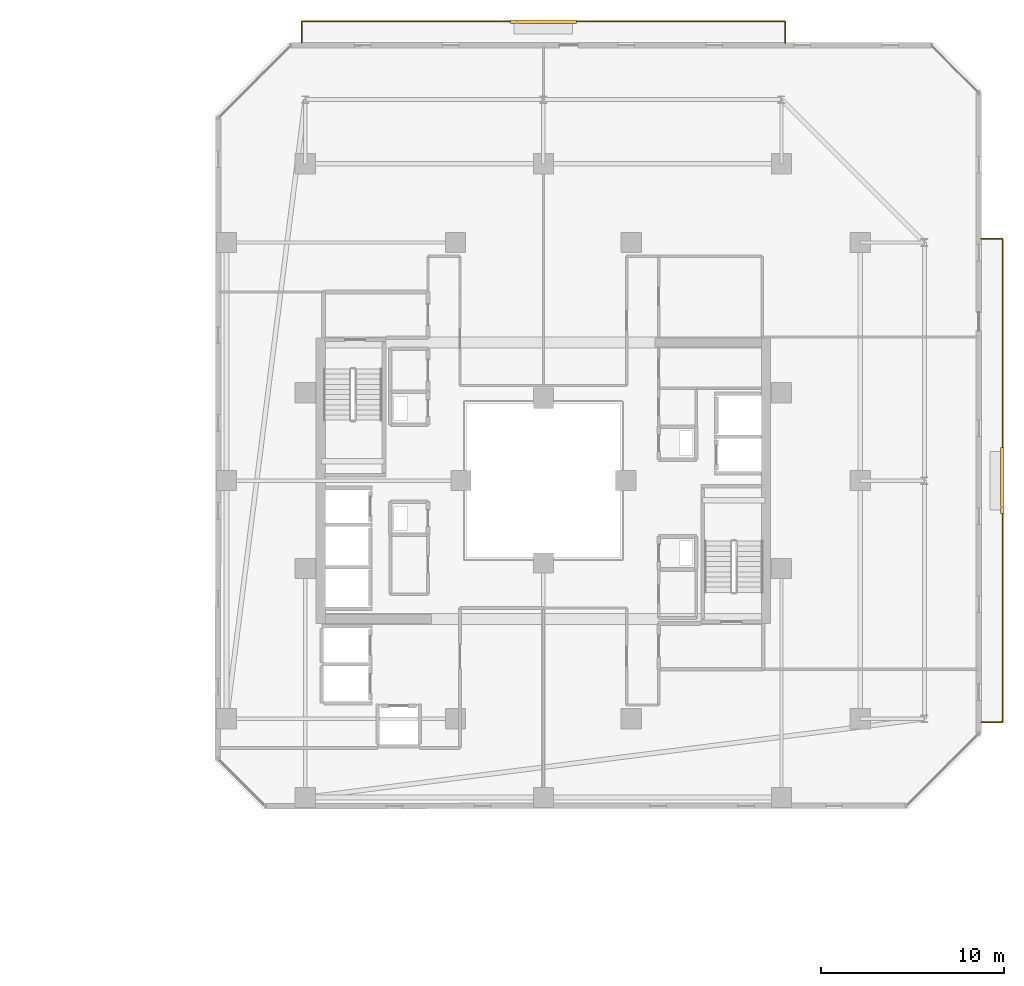
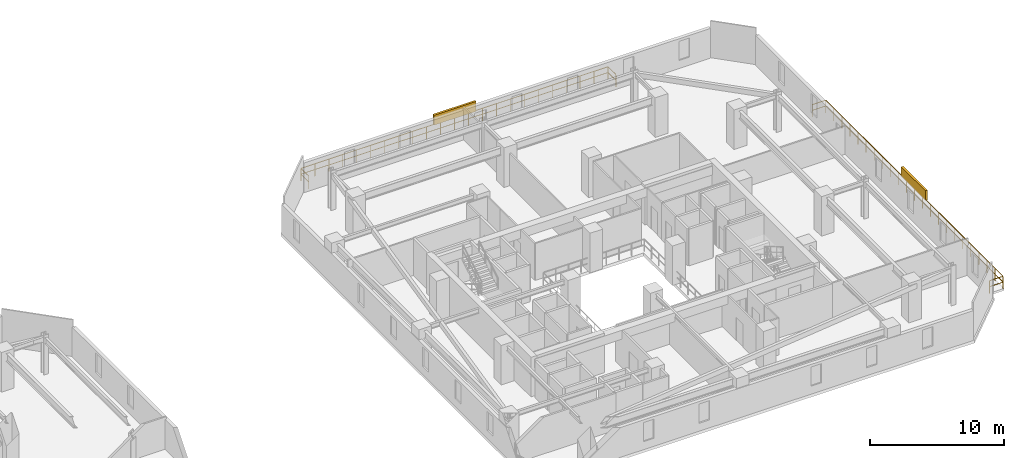
# One storey, part 32 of 32: 2 railings, 2 shading devices.
"""IFC4 building model written with IfcOpenShell, lengths in metres."""

from ifc_helpers import new_model, si_unit, direction, frame, origin, origin_2d, place, context, subcontext, project, spatial, rectangle, extrude, material, type_object, element, save


model = new_model("IFC4")

# Units and contexts
model_context = context("Model", 3, precision=1e-05, world=origin(), true_north=direction((0.0, 1.0)))
body_context = subcontext(model_context, "Body", "Model", "MODEL_VIEW")
ifc_project = project(units=[si_unit("LENGTHUNIT", "METRE"), si_unit("AREAUNIT", "SQUARE_METRE"), si_unit("VOLUMEUNIT", "CUBIC_METRE"), si_unit("PLANEANGLEUNIT", "RADIAN"), si_unit("MASSUNIT", "GRAM", prefix="KILO")], contexts=[model_context])

# Site, building, storey
site_placement = place(None, origin())
site = spatial("IfcSite", under=ifc_project, at=site_placement, CompositionType="ELEMENT")
building_placement = place(site_placement, origin())
building = spatial("IfcBuilding", under=site, at=building_placement, Name="Thornwick Lancets Civic Towers", CompositionType="ELEMENT")
storey_placement = place(building_placement, frame((0.0, 0.0, 152.699951171875)))
storey = spatial("IfcBuildingStorey", under=building, at=storey_placement, Name="L40", CompositionType="ELEMENT", Elevation=152.699951171875)

# Railings
ifc_material_1 = material(Name="Terracotta-capped laminated glass balustrade S355", Category="masonry")
railing_type = type_object("IfcRailingType", Name="RAIL_TERR_GUARD", PredefinedType="GUARDRAIL", material=ifc_material_1)
railing_1_placement = place(storey_placement, frame((112.39990234375, 13.800048828125, 0.0)))
element("IfcRailing", 1, at=railing_1_placement, inside=storey, type_object=railing_type, Name="L40 Tower B Balcony Guard E", PredefinedType="GUARDRAIL", context=body_context, shape_type="SweptSolid", body=[
    extrude(rectangle(XDim=0.048095703125, YDim=0.048095703125, at=origin_2d()), frame((0.0, 0.0, 1.1259765625), z_axis=(1.0, 0.0, 0.0), x_axis=(0.0, 1.0, 0.0)), (0.0, 0.0, 1.0), 1.138916015625),
    extrude(rectangle(XDim=0.0419921875, YDim=0.0419921875, at=origin_2d()), frame((0.03759765625, 0.0, 0.597900390625), z_axis=(1.0, 0.0, 0.0), x_axis=(0.0, 1.0, 0.0)), (0.0, 0.0, 1.0), 1.09521484375),
    extrude(rectangle(XDim=0.048095703125, YDim=0.048095703125, at=origin_2d()), frame((1.170166015625, 0.03125, 1.1259765625), z_axis=(0.0, 1.0, 0.0), x_axis=(-1.0, 0.0, 0.0)), (0.0, 0.0, 1.0), 26.33740234375),
    extrude(rectangle(XDim=0.0419921875, YDim=0.0419921875, at=origin_2d()), frame((1.170166015625, 0.03759765625, 0.597900390625), z_axis=(0.0, 1.0, 0.0), x_axis=(-1.0, 0.0, 0.0)), (0.0, 0.0, 1.0), 1.125),
    extrude(rectangle(XDim=0.0419921875, YDim=0.0419921875, at=origin_2d()), frame((1.170166015625, 1.237548828125, 0.597900390625), z_axis=(0.0, 1.0, 0.0), x_axis=(-1.0, 0.0, 0.0)), (0.0, 0.0, 1.0), 1.125),
    extrude(rectangle(XDim=0.0419921875, YDim=0.0419921875, at=origin_2d()), frame((1.170166015625, 2.4375, 0.597900390625), z_axis=(0.0, 1.0, 0.0), x_axis=(-1.0, 0.0, 0.0)), (0.0, 0.0, 1.0), 1.125),
    extrude(rectangle(XDim=0.0419921875, YDim=0.0419921875, at=origin_2d()), frame((1.170166015625, 3.637451171875, 0.597900390625), z_axis=(0.0, 1.0, 0.0), x_axis=(-1.0, 0.0, 0.0)), (0.0, 0.0, 1.0), 1.125),
    extrude(rectangle(XDim=0.0419921875, YDim=0.0419921875, at=origin_2d()), frame((1.170166015625, 4.83740234375, 0.597900390625), z_axis=(0.0, 1.0, 0.0), x_axis=(-1.0, 0.0, 0.0)), (0.0, 0.0, 1.0), 1.125),
    extrude(rectangle(XDim=0.0419921875, YDim=0.0419921875, at=origin_2d()), frame((1.170166015625, 6.037353515625, 0.597900390625), z_axis=(0.0, 1.0, 0.0), x_axis=(-1.0, 0.0, 0.0)), (0.0, 0.0, 1.0), 1.125),
    extrude(rectangle(XDim=0.0419921875, YDim=0.0419921875, at=origin_2d()), frame((1.170166015625, 7.237548828125, 0.597900390625), z_axis=(0.0, 1.0, 0.0), x_axis=(-1.0, 0.0, 0.0)), (0.0, 0.0, 1.0), 1.125),
    extrude(rectangle(XDim=0.0419921875, YDim=0.0419921875, at=origin_2d()), frame((1.170166015625, 8.4375, 0.597900390625), z_axis=(0.0, 1.0, 0.0), x_axis=(-1.0, 0.0, 0.0)), (0.0, 0.0, 1.0), 1.125),
    extrude(rectangle(XDim=0.0419921875, YDim=0.0419921875, at=origin_2d()), frame((1.170166015625, 9.637451171875, 0.597900390625), z_axis=(0.0, 1.0, 0.0), x_axis=(-1.0, 0.0, 0.0)), (0.0, 0.0, 1.0), 1.125),
    extrude(rectangle(XDim=0.0419921875, YDim=0.0419921875, at=origin_2d()), frame((1.170166015625, 10.83740234375, 0.597900390625), z_axis=(0.0, 1.0, 0.0), x_axis=(-1.0, 0.0, 0.0)), (0.0, 0.0, 1.0), 1.125),
    extrude(rectangle(XDim=0.0419921875, YDim=0.0419921875, at=origin_2d()), frame((1.170166015625, 12.037353515625, 0.597900390625), z_axis=(0.0, 1.0, 0.0), x_axis=(-1.0, 0.0, 0.0)), (0.0, 0.0, 1.0), 1.125),
    extrude(rectangle(XDim=0.0419921875, YDim=0.0419921875, at=origin_2d()), frame((1.170166015625, 13.237548828125, 0.597900390625), z_axis=(0.0, 1.0, 0.0), x_axis=(-1.0, 0.0, 0.0)), (0.0, 0.0, 1.0), 1.125),
    extrude(rectangle(XDim=0.0419921875, YDim=0.0419921875, at=origin_2d()), frame((1.170166015625, 14.4375, 0.597900390625), z_axis=(0.0, 1.0, 0.0), x_axis=(-1.0, 0.0, 0.0)), (0.0, 0.0, 1.0), 1.125),
    extrude(rectangle(XDim=0.0419921875, YDim=0.0419921875, at=origin_2d()), frame((1.170166015625, 15.637451171875, 0.597900390625), z_axis=(0.0, 1.0, 0.0), x_axis=(-1.0, 0.0, 0.0)), (0.0, 0.0, 1.0), 1.125),
    extrude(rectangle(XDim=0.0419921875, YDim=0.0419921875, at=origin_2d()), frame((1.170166015625, 16.83740234375, 0.597900390625), z_axis=(0.0, 1.0, 0.0), x_axis=(-1.0, 0.0, 0.0)), (0.0, 0.0, 1.0), 1.125),
    extrude(rectangle(XDim=0.0419921875, YDim=0.0419921875, at=origin_2d()), frame((1.170166015625, 18.037353515625, 0.597900390625), z_axis=(0.0, 1.0, 0.0), x_axis=(-1.0, 0.0, 0.0)), (0.0, 0.0, 1.0), 1.125),
    extrude(rectangle(XDim=0.0419921875, YDim=0.0419921875, at=origin_2d()), frame((1.170166015625, 19.2373046875, 0.597900390625), z_axis=(0.0, 1.0, 0.0), x_axis=(-1.0, 0.0, 0.0)), (0.0, 0.0, 1.0), 1.125),
    extrude(rectangle(XDim=0.0419921875, YDim=0.0419921875, at=origin_2d()), frame((1.170166015625, 20.4375, 0.597900390625), z_axis=(0.0, 1.0, 0.0), x_axis=(-1.0, 0.0, 0.0)), (0.0, 0.0, 1.0), 1.125),
    extrude(rectangle(XDim=0.0419921875, YDim=0.0419921875, at=origin_2d()), frame((1.170166015625, 21.637451171875, 0.597900390625), z_axis=(0.0, 1.0, 0.0), x_axis=(-1.0, 0.0, 0.0)), (0.0, 0.0, 1.0), 1.125),
    extrude(rectangle(XDim=0.0419921875, YDim=0.0419921875, at=origin_2d()), frame((1.170166015625, 22.83740234375, 0.597900390625), z_axis=(0.0, 1.0, 0.0), x_axis=(-1.0, 0.0, 0.0)), (0.0, 0.0, 1.0), 1.125),
    extrude(rectangle(XDim=0.0419921875, YDim=0.0419921875, at=origin_2d()), frame((1.170166015625, 24.037353515625, 0.597900390625), z_axis=(0.0, 1.0, 0.0), x_axis=(-1.0, 0.0, 0.0)), (0.0, 0.0, 1.0), 1.125),
    extrude(rectangle(XDim=0.0419921875, YDim=0.0419921875, at=origin_2d()), frame((1.170166015625, 25.2373046875, 0.597900390625), z_axis=(0.0, 1.0, 0.0), x_axis=(-1.0, 0.0, 0.0)), (0.0, 0.0, 1.0), 1.125),
    extrude(rectangle(XDim=0.048095703125, YDim=0.048095703125, at=origin_2d()), frame((1.138916015625, 26.39990234375, 1.1259765625), z_axis=(-1.0, 0.0, 0.0), x_axis=(0.0, -1.0, 0.0)), (0.0, 0.0, 1.0), 1.138916015625),
    extrude(rectangle(XDim=0.0419921875, YDim=0.0419921875, at=origin_2d()), frame((1.132568359375, 26.39990234375, 0.597900390625), z_axis=(-1.0, 0.0, 0.0), x_axis=(0.0, -1.0, 0.0)), (0.0, 0.0, 1.0), 1.09521484375),
    extrude(rectangle(XDim=0.0419921875, YDim=0.0419921875, at=origin_2d()), origin(), (0.0, 0.0, 1.0), 1.095703125),
    extrude(rectangle(XDim=0.0419921875, YDim=0.0419921875, at=origin_2d()), frame((1.170166015625, 0.0, 0.0)), (0.0, 0.0, 1.0), 1.095703125),
    extrude(rectangle(XDim=0.0419921875, YDim=0.0419921875, at=origin_2d()), frame((1.170166015625, 1.199951171875, 0.0)), (0.0, 0.0, 1.0), 1.095703125),
    extrude(rectangle(XDim=0.0419921875, YDim=0.0419921875, at=origin_2d()), frame((1.170166015625, 2.39990234375, 0.0)), (0.0, 0.0, 1.0), 1.095703125),
    extrude(rectangle(XDim=0.0419921875, YDim=0.0419921875, at=origin_2d()), frame((1.170166015625, 3.60009765625, 0.0)), (0.0, 0.0, 1.0), 1.095703125),
    extrude(rectangle(XDim=0.0419921875, YDim=0.0419921875, at=origin_2d()), frame((1.170166015625, 4.800048828125, 0.0)), (0.0, 0.0, 1.0), 1.095703125),
    extrude(rectangle(XDim=0.0419921875, YDim=0.0419921875, at=origin_2d()), frame((1.170166015625, 6.0, 0.0)), (0.0, 0.0, 1.0), 1.095703125),
    extrude(rectangle(XDim=0.0419921875, YDim=0.0419921875, at=origin_2d()), frame((1.170166015625, 7.199951171875, 0.0)), (0.0, 0.0, 1.0), 1.095703125),
    extrude(rectangle(XDim=0.0419921875, YDim=0.0419921875, at=origin_2d()), frame((1.170166015625, 8.39990234375, 0.0)), (0.0, 0.0, 1.0), 1.095703125),
    extrude(rectangle(XDim=0.0419921875, YDim=0.0419921875, at=origin_2d()), frame((1.170166015625, 9.599853515625, 0.0)), (0.0, 0.0, 1.0), 1.095703125),
    extrude(rectangle(XDim=0.0419921875, YDim=0.0419921875, at=origin_2d()), frame((1.170166015625, 10.800048828125, 0.0)), (0.0, 0.0, 1.0), 1.095703125),
    extrude(rectangle(XDim=0.0419921875, YDim=0.0419921875, at=origin_2d()), frame((1.170166015625, 12.0, 0.0)), (0.0, 0.0, 1.0), 1.095703125),
    extrude(rectangle(XDim=0.0419921875, YDim=0.0419921875, at=origin_2d()), frame((1.170166015625, 13.199951171875, 0.0)), (0.0, 0.0, 1.0), 1.095703125),
    extrude(rectangle(XDim=0.0419921875, YDim=0.0419921875, at=origin_2d()), frame((1.170166015625, 14.39990234375, 0.0)), (0.0, 0.0, 1.0), 1.095703125),
    extrude(rectangle(XDim=0.0419921875, YDim=0.0419921875, at=origin_2d()), frame((1.170166015625, 15.599853515625, 0.0)), (0.0, 0.0, 1.0), 1.095703125),
    extrude(rectangle(XDim=0.0419921875, YDim=0.0419921875, at=origin_2d()), frame((1.170166015625, 16.800048828125, 0.0)), (0.0, 0.0, 1.0), 1.095703125),
    extrude(rectangle(XDim=0.0419921875, YDim=0.0419921875, at=origin_2d()), frame((1.170166015625, 18.0, 0.0)), (0.0, 0.0, 1.0), 1.095703125),
    extrude(rectangle(XDim=0.0419921875, YDim=0.0419921875, at=origin_2d()), frame((1.170166015625, 19.199951171875, 0.0)), (0.0, 0.0, 1.0), 1.095703125),
    extrude(rectangle(XDim=0.0419921875, YDim=0.0419921875, at=origin_2d()), frame((1.170166015625, 20.39990234375, 0.0)), (0.0, 0.0, 1.0), 1.095703125),
    extrude(rectangle(XDim=0.0419921875, YDim=0.0419921875, at=origin_2d()), frame((1.170166015625, 21.599853515625, 0.0)), (0.0, 0.0, 1.0), 1.095703125),
    extrude(rectangle(XDim=0.0419921875, YDim=0.0419921875, at=origin_2d()), frame((1.170166015625, 22.7998046875, 0.0)), (0.0, 0.0, 1.0), 1.095703125),
    extrude(rectangle(XDim=0.0419921875, YDim=0.0419921875, at=origin_2d()), frame((1.170166015625, 24.0, 0.0)), (0.0, 0.0, 1.0), 1.095703125),
    extrude(rectangle(XDim=0.0419921875, YDim=0.0419921875, at=origin_2d()), frame((1.170166015625, 25.199951171875, 0.0)), (0.0, 0.0, 1.0), 1.095703125),
    extrude(rectangle(XDim=0.0419921875, YDim=0.0419921875, at=origin_2d()), frame((1.170166015625, 26.39990234375, 0.0)), (0.0, 0.0, 1.0), 1.095703125),
    extrude(rectangle(XDim=0.0419921875, YDim=0.0419921875, at=origin_2d()), frame((0.0, 26.39990234375, 0.0)), (0.0, 0.0, 1.0), 1.095703125),
])
railing_2_placement = place(storey_placement, frame((75.300048828125, 50.89990234375, 0.0)))
element("IfcRailing", 2, at=railing_2_placement, inside=storey, type_object=railing_type, Name="L40 Tower B Balcony Guard N", PredefinedType="GUARDRAIL", context=body_context, shape_type="SweptSolid", body=[
    extrude(rectangle(XDim=0.048095703125, YDim=0.048095703125, at=origin_2d()), frame((0.0, 0.0, 1.1259765625), z_axis=(0.0, 1.0, 0.0), x_axis=(-1.0, 0.0, 0.0)), (0.0, 0.0, 1.0), 1.138916015625),
    extrude(rectangle(XDim=0.0419921875, YDim=0.0419921875, at=origin_2d()), frame((0.0, 0.03759765625, 0.597900390625), z_axis=(0.0, 1.0, 0.0), x_axis=(-1.0, 0.0, 0.0)), (0.0, 0.0, 1.0), 1.09521484375),
    extrude(rectangle(XDim=0.048095703125, YDim=0.048095703125, at=origin_2d()), frame((0.03125, 1.170166015625, 1.1259765625), z_axis=(1.0, 0.0, 0.0), x_axis=(0.0, 1.0, 0.0)), (0.0, 0.0, 1.0), 26.33740234375),
    extrude(rectangle(XDim=0.0419921875, YDim=0.0419921875, at=origin_2d()), frame((0.03759765625, 1.170166015625, 0.597900390625), z_axis=(1.0, 0.0, 0.0), x_axis=(0.0, 1.0, 0.0)), (0.0, 0.0, 1.0), 1.125),
    extrude(rectangle(XDim=0.0419921875, YDim=0.0419921875, at=origin_2d()), frame((1.237548828125, 1.170166015625, 0.597900390625), z_axis=(1.0, 0.0, 0.0), x_axis=(0.0, 1.0, 0.0)), (0.0, 0.0, 1.0), 1.125),
    extrude(rectangle(XDim=0.0419921875, YDim=0.0419921875, at=origin_2d()), frame((2.4375, 1.170166015625, 0.597900390625), z_axis=(1.0, 0.0, 0.0), x_axis=(0.0, 1.0, 0.0)), (0.0, 0.0, 1.0), 1.125),
    extrude(rectangle(XDim=0.0419921875, YDim=0.0419921875, at=origin_2d()), frame((3.637451171875, 1.170166015625, 0.597900390625), z_axis=(1.0, 0.0, 0.0), x_axis=(0.0, 1.0, 0.0)), (0.0, 0.0, 1.0), 1.125),
    extrude(rectangle(XDim=0.0419921875, YDim=0.0419921875, at=origin_2d()), frame((4.83740234375, 1.170166015625, 0.597900390625), z_axis=(1.0, 0.0, 0.0), x_axis=(0.0, 1.0, 0.0)), (0.0, 0.0, 1.0), 1.125),
    extrude(rectangle(XDim=0.0419921875, YDim=0.0419921875, at=origin_2d()), frame((6.037353515625, 1.170166015625, 0.597900390625), z_axis=(1.0, 0.0, 0.0), x_axis=(0.0, 1.0, 0.0)), (0.0, 0.0, 1.0), 1.125),
    extrude(rectangle(XDim=0.0419921875, YDim=0.0419921875, at=origin_2d()), frame((7.237548828125, 1.170166015625, 0.597900390625), z_axis=(1.0, 0.0, 0.0), x_axis=(0.0, 1.0, 0.0)), (0.0, 0.0, 1.0), 1.125),
    extrude(rectangle(XDim=0.0419921875, YDim=0.0419921875, at=origin_2d()), frame((8.4375, 1.170166015625, 0.597900390625), z_axis=(1.0, 0.0, 0.0), x_axis=(0.0, 1.0, 0.0)), (0.0, 0.0, 1.0), 1.125),
    extrude(rectangle(XDim=0.0419921875, YDim=0.0419921875, at=origin_2d()), frame((9.637451171875, 1.170166015625, 0.597900390625), z_axis=(1.0, 0.0, 0.0), x_axis=(0.0, 1.0, 0.0)), (0.0, 0.0, 1.0), 1.125),
    extrude(rectangle(XDim=0.0419921875, YDim=0.0419921875, at=origin_2d()), frame((10.83740234375, 1.170166015625, 0.597900390625), z_axis=(1.0, 0.0, 0.0), x_axis=(0.0, 1.0, 0.0)), (0.0, 0.0, 1.0), 1.125),
    extrude(rectangle(XDim=0.0419921875, YDim=0.0419921875, at=origin_2d()), frame((12.037353515625, 1.170166015625, 0.597900390625), z_axis=(1.0, 0.0, 0.0), x_axis=(0.0, 1.0, 0.0)), (0.0, 0.0, 1.0), 1.125),
    extrude(rectangle(XDim=0.0419921875, YDim=0.0419921875, at=origin_2d()), frame((13.237548828125, 1.170166015625, 0.597900390625), z_axis=(1.0, 0.0, 0.0), x_axis=(0.0, 1.0, 0.0)), (0.0, 0.0, 1.0), 1.125),
    extrude(rectangle(XDim=0.0419921875, YDim=0.0419921875, at=origin_2d()), frame((14.4375, 1.170166015625, 0.597900390625), z_axis=(1.0, 0.0, 0.0), x_axis=(0.0, 1.0, 0.0)), (0.0, 0.0, 1.0), 1.125),
    extrude(rectangle(XDim=0.0419921875, YDim=0.0419921875, at=origin_2d()), frame((15.637451171875, 1.170166015625, 0.597900390625), z_axis=(1.0, 0.0, 0.0), x_axis=(0.0, 1.0, 0.0)), (0.0, 0.0, 1.0), 1.125),
    extrude(rectangle(XDim=0.0419921875, YDim=0.0419921875, at=origin_2d()), frame((16.83740234375, 1.170166015625, 0.597900390625), z_axis=(1.0, 0.0, 0.0), x_axis=(0.0, 1.0, 0.0)), (0.0, 0.0, 1.0), 1.125),
    extrude(rectangle(XDim=0.0419921875, YDim=0.0419921875, at=origin_2d()), frame((18.037353515625, 1.170166015625, 0.597900390625), z_axis=(1.0, 0.0, 0.0), x_axis=(0.0, 1.0, 0.0)), (0.0, 0.0, 1.0), 1.125),
    extrude(rectangle(XDim=0.0419921875, YDim=0.0419921875, at=origin_2d()), frame((19.2373046875, 1.170166015625, 0.597900390625), z_axis=(1.0, 0.0, 0.0), x_axis=(0.0, 1.0, 0.0)), (0.0, 0.0, 1.0), 1.125),
    extrude(rectangle(XDim=0.0419921875, YDim=0.0419921875, at=origin_2d()), frame((20.4375, 1.170166015625, 0.597900390625), z_axis=(1.0, 0.0, 0.0), x_axis=(0.0, 1.0, 0.0)), (0.0, 0.0, 1.0), 1.125),
    extrude(rectangle(XDim=0.0419921875, YDim=0.0419921875, at=origin_2d()), frame((21.637451171875, 1.170166015625, 0.597900390625), z_axis=(1.0, 0.0, 0.0), x_axis=(0.0, 1.0, 0.0)), (0.0, 0.0, 1.0), 1.125),
    extrude(rectangle(XDim=0.0419921875, YDim=0.0419921875, at=origin_2d()), frame((22.83740234375, 1.170166015625, 0.597900390625), z_axis=(1.0, 0.0, 0.0), x_axis=(0.0, 1.0, 0.0)), (0.0, 0.0, 1.0), 1.125),
    extrude(rectangle(XDim=0.0419921875, YDim=0.0419921875, at=origin_2d()), frame((24.037353515625, 1.170166015625, 0.597900390625), z_axis=(1.0, 0.0, 0.0), x_axis=(0.0, 1.0, 0.0)), (0.0, 0.0, 1.0), 1.125),
    extrude(rectangle(XDim=0.0419921875, YDim=0.0419921875, at=origin_2d()), frame((25.2373046875, 1.170166015625, 0.597900390625), z_axis=(1.0, 0.0, 0.0), x_axis=(0.0, 1.0, 0.0)), (0.0, 0.0, 1.0), 1.125),
    extrude(rectangle(XDim=0.048095703125, YDim=0.048095703125, at=origin_2d()), frame((26.39990234375, 1.138916015625, 1.1259765625), z_axis=(0.0, -1.0, 0.0), x_axis=(1.0, 0.0, 0.0)), (0.0, 0.0, 1.0), 1.138916015625),
    extrude(rectangle(XDim=0.0419921875, YDim=0.0419921875, at=origin_2d()), frame((26.39990234375, 1.132568359375, 0.597900390625), z_axis=(0.0, -1.0, 0.0), x_axis=(1.0, 0.0, 0.0)), (0.0, 0.0, 1.0), 1.09521484375),
    extrude(rectangle(XDim=0.0419921875, YDim=0.0419921875, at=origin_2d()), origin(), (0.0, 0.0, 1.0), 1.095703125),
    extrude(rectangle(XDim=0.0419921875, YDim=0.0419921875, at=origin_2d()), frame((0.0, 1.170166015625, 0.0)), (0.0, 0.0, 1.0), 1.095703125),
    extrude(rectangle(XDim=0.0419921875, YDim=0.0419921875, at=origin_2d()), frame((1.199951171875, 1.170166015625, 0.0)), (0.0, 0.0, 1.0), 1.095703125),
    extrude(rectangle(XDim=0.0419921875, YDim=0.0419921875, at=origin_2d()), frame((2.39990234375, 1.170166015625, 0.0)), (0.0, 0.0, 1.0), 1.095703125),
    extrude(rectangle(XDim=0.0419921875, YDim=0.0419921875, at=origin_2d()), frame((3.60009765625, 1.170166015625, 0.0)), (0.0, 0.0, 1.0), 1.095703125),
    extrude(rectangle(XDim=0.0419921875, YDim=0.0419921875, at=origin_2d()), frame((4.800048828125, 1.170166015625, 0.0)), (0.0, 0.0, 1.0), 1.095703125),
    extrude(rectangle(XDim=0.0419921875, YDim=0.0419921875, at=origin_2d()), frame((6.0, 1.170166015625, 0.0)), (0.0, 0.0, 1.0), 1.095703125),
    extrude(rectangle(XDim=0.0419921875, YDim=0.0419921875, at=origin_2d()), frame((7.199951171875, 1.170166015625, 0.0)), (0.0, 0.0, 1.0), 1.095703125),
    extrude(rectangle(XDim=0.0419921875, YDim=0.0419921875, at=origin_2d()), frame((8.39990234375, 1.170166015625, 0.0)), (0.0, 0.0, 1.0), 1.095703125),
    extrude(rectangle(XDim=0.0419921875, YDim=0.0419921875, at=origin_2d()), frame((9.599853515625, 1.170166015625, 0.0)), (0.0, 0.0, 1.0), 1.095703125),
    extrude(rectangle(XDim=0.0419921875, YDim=0.0419921875, at=origin_2d()), frame((10.800048828125, 1.170166015625, 0.0)), (0.0, 0.0, 1.0), 1.095703125),
    extrude(rectangle(XDim=0.0419921875, YDim=0.0419921875, at=origin_2d()), frame((12.0, 1.170166015625, 0.0)), (0.0, 0.0, 1.0), 1.095703125),
    extrude(rectangle(XDim=0.0419921875, YDim=0.0419921875, at=origin_2d()), frame((13.199951171875, 1.170166015625, 0.0)), (0.0, 0.0, 1.0), 1.095703125),
    extrude(rectangle(XDim=0.0419921875, YDim=0.0419921875, at=origin_2d()), frame((14.39990234375, 1.170166015625, 0.0)), (0.0, 0.0, 1.0), 1.095703125),
    extrude(rectangle(XDim=0.0419921875, YDim=0.0419921875, at=origin_2d()), frame((15.599853515625, 1.170166015625, 0.0)), (0.0, 0.0, 1.0), 1.095703125),
    extrude(rectangle(XDim=0.0419921875, YDim=0.0419921875, at=origin_2d()), frame((16.800048828125, 1.170166015625, 0.0)), (0.0, 0.0, 1.0), 1.095703125),
    extrude(rectangle(XDim=0.0419921875, YDim=0.0419921875, at=origin_2d()), frame((18.0, 1.170166015625, 0.0)), (0.0, 0.0, 1.0), 1.095703125),
    extrude(rectangle(XDim=0.0419921875, YDim=0.0419921875, at=origin_2d()), frame((19.199951171875, 1.170166015625, 0.0)), (0.0, 0.0, 1.0), 1.095703125),
    extrude(rectangle(XDim=0.0419921875, YDim=0.0419921875, at=origin_2d()), frame((20.39990234375, 1.170166015625, 0.0)), (0.0, 0.0, 1.0), 1.095703125),
    extrude(rectangle(XDim=0.0419921875, YDim=0.0419921875, at=origin_2d()), frame((21.599853515625, 1.170166015625, 0.0)), (0.0, 0.0, 1.0), 1.095703125),
    extrude(rectangle(XDim=0.0419921875, YDim=0.0419921875, at=origin_2d()), frame((22.7998046875, 1.170166015625, 0.0)), (0.0, 0.0, 1.0), 1.095703125),
    extrude(rectangle(XDim=0.0419921875, YDim=0.0419921875, at=origin_2d()), frame((24.0, 1.170166015625, 0.0)), (0.0, 0.0, 1.0), 1.095703125),
    extrude(rectangle(XDim=0.0419921875, YDim=0.0419921875, at=origin_2d()), frame((25.199951171875, 1.170166015625, 0.0)), (0.0, 0.0, 1.0), 1.095703125),
    extrude(rectangle(XDim=0.0419921875, YDim=0.0419921875, at=origin_2d()), frame((26.39990234375, 1.170166015625, 0.0)), (0.0, 0.0, 1.0), 1.095703125),
    extrude(rectangle(XDim=0.0419921875, YDim=0.0419921875, at=origin_2d()), frame((26.39990234375, 0.0, 0.0)), (0.0, 0.0, 1.0), 1.095703125),
])

# Shading devices
ifc_material_2 = material(Name="Extruded terracotta baguette solar screen", Category="masonry")
shading_device_type = type_object("IfcShadingDeviceType", Name="SHADE_BAGUETTE", PredefinedType="JALOUSIE", material=ifc_material_2)
for number, where, z_axis, x_axis, name in (
    (3, (113.56005859375, 27.0, 1.1201171875), (0.0, 0.0, 1.0), (0.0, 1.0, 0.0), "L40 Tower B Terracotta Baguette Screen E"),
    (4, (88.5, 52.06005859375, 1.1201171875), (0.0, 0.0, 1.0), (1.0, 0.0, 0.0), "L40 Tower B Terracotta Baguette Screen N"),
):
    element("IfcShadingDevice", number, at=place(storey_placement, frame(where, z_axis=z_axis, x_axis=x_axis)), inside=storey, type_object=shading_device_type, Name=name, PredefinedType="JALOUSIE", context=body_context, shape_type="SweptSolid", body=[
        extrude(rectangle(XDim=3.60009765625, YDim=0.179931640625, at=origin_2d()), origin(), (0.0, 0.0, 1.0), 0.89990234375),
    ])

save(model, "model.ifc")
